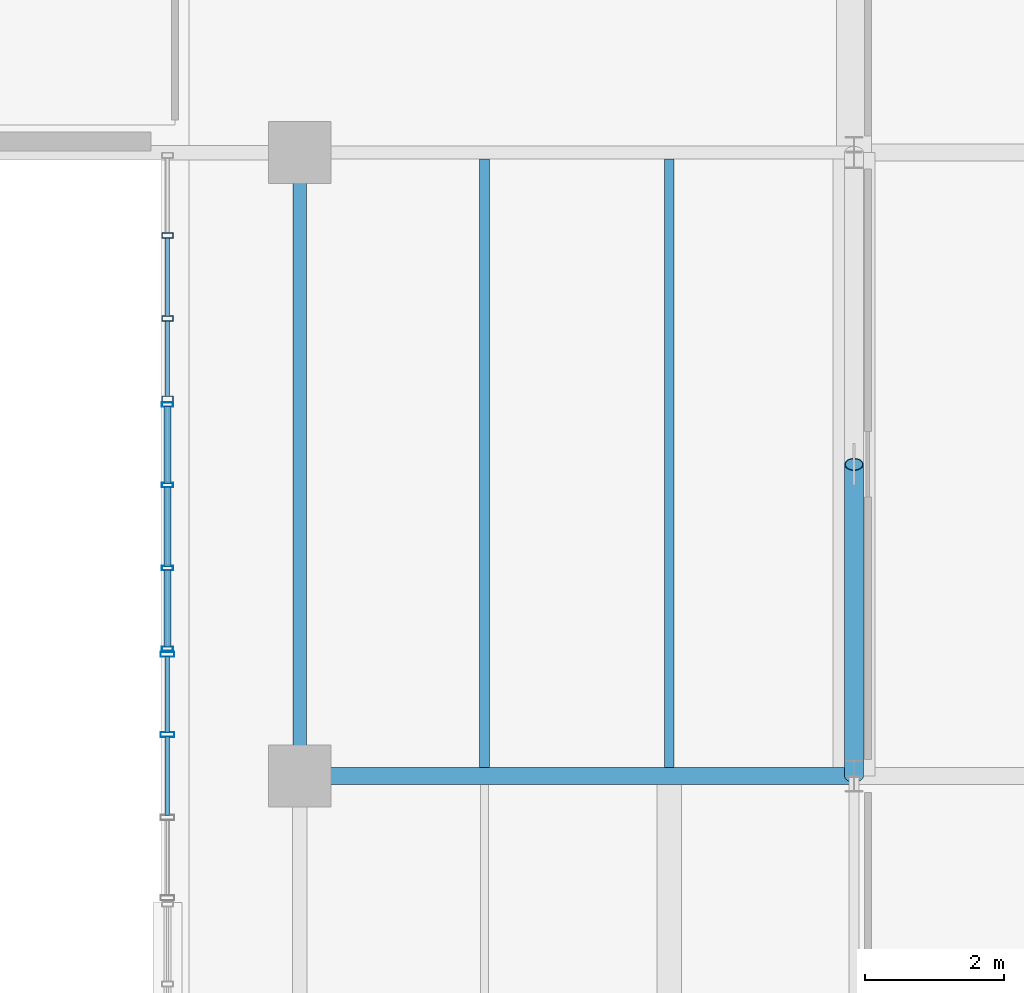
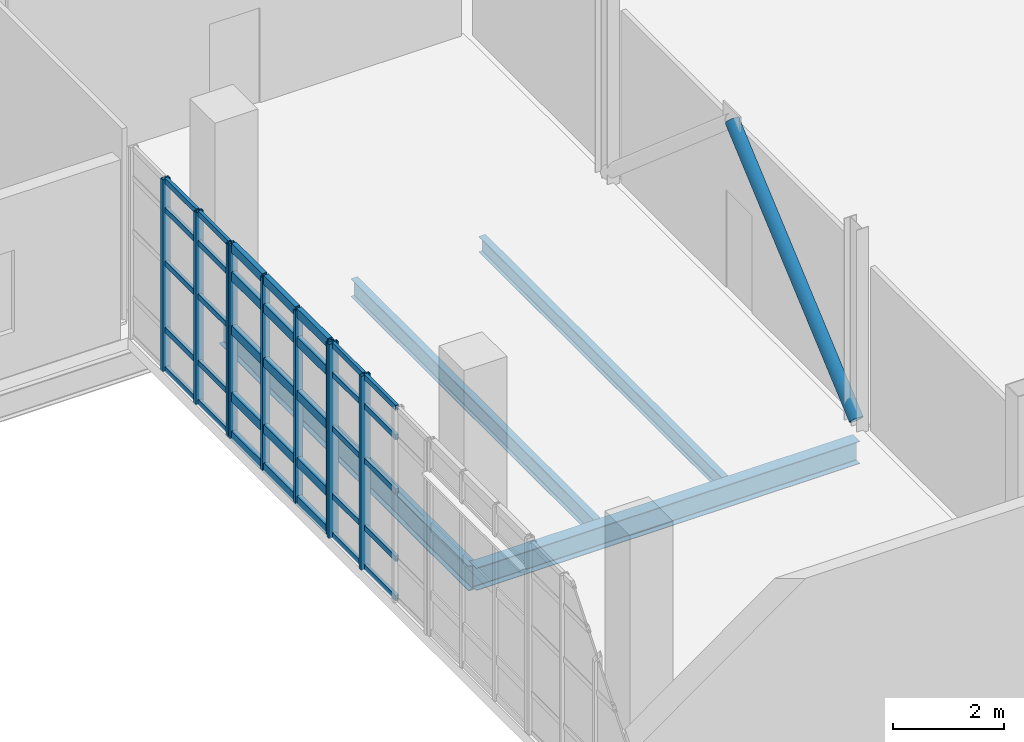
# One storey, part 11 of 38: 45 members, 4 beams, 3 elements without a shape of their own.
"""IFC4 building model written with IfcOpenShell, lengths in metres."""

from ifc_helpers import new_model, si_unit, derived_unit, direction, frame, origin, origin_2d, place, context, subcontext, project, spatial, hollow_rectangle, hollow_circle, i_section, extrude, material, layer, layer_set, material_profile, profile_set, type_object, element, aggregate, save


model = new_model("IFC4")

# Units and contexts
model_context = context("Model", 3, precision=1e-05, world=origin(), true_north=direction((0.0, 1.0)))
body_context = subcontext(model_context, "Body", "Model", "MODEL_VIEW")
ifc_project = project(units=[si_unit("LENGTHUNIT", "METRE"), si_unit("AREAUNIT", "SQUARE_METRE"), si_unit("VOLUMEUNIT", "CUBIC_METRE"), si_unit("PLANEANGLEUNIT", "RADIAN"), si_unit("MASSUNIT", "GRAM", prefix="KILO"), derived_unit("THERMALTRANSMITTANCEUNIT", [(si_unit("POWERUNIT", "WATT"), 1), (si_unit("LENGTHUNIT", "METRE"), -2), (si_unit("THERMODYNAMICTEMPERATUREUNIT", "KELVIN"), -1)])], contexts=[model_context])

# Site, building, storey
site_placement = place(None, origin())
site = spatial("IfcSite", under=ifc_project, at=site_placement, CompositionType="ELEMENT")
building_placement = place(site_placement, origin())
building = spatial("IfcBuilding", under=site, at=building_placement, Name="Nallur Shell Playhouse", CompositionType="ELEMENT")
storey_placement = place(building_placement, frame((0.0, 0.0, 24.300048828125)))
storey = spatial("IfcBuildingStorey", under=building, at=storey_placement, Name="L06", CompositionType="ELEMENT", Elevation=24.300048828125)

# Beams
ifc_material_1 = material(Name="Steel E250", Category="steel")
ifc_material_profile_1 = material_profile(ifc_material_1, i_section(OverallWidth=0.139892578125, OverallDepth=0.35009765625, WebThickness=0.008056640625, FlangeThickness=0.01416015625, FilletRadius=0.013916015625, at=origin_2d()), Name="ISMB 350")
ifc_profile_set_1 = profile_set([ifc_material_profile_1], Name="Steel E250")
beam_type_1 = type_object("IfcBeamType", Name="BM-JST-ISMB350", PredefinedType="JOIST", material=ifc_profile_set_1)
beam_1_placement = place(storey_placement, frame((61.333251953125, 56.123046875, -0.425048828125), z_axis=(0.0, 1.0, 0.0), x_axis=(-1.0, 0.0, 0.0)))
element("IfcBeam", 1, at=beam_1_placement, inside=storey, type_object=beam_type_1, Name="L06 secondary joist 7-G-1208", PredefinedType="JOIST", context=body_context, shape_type="SweptSolid", body=[
    extrude(i_section(OverallWidth=0.139892578125, OverallDepth=0.35009765625, WebThickness=0.008056640625, FlangeThickness=0.01416015625, FilletRadius=0.013916015625, at=origin_2d()), origin(), (0.0, 0.0, 1.0), 8.783935546875),
])
ifc_material_profile_2 = material_profile(ifc_material_1, i_section(OverallWidth=0.139892578125, OverallDepth=0.39990234375, WebThickness=0.0087890625, FlangeThickness=0.01611328125, FilletRadius=0.013916015625, at=origin_2d()), Name="ISMB 400")
ifc_profile_set_2 = profile_set([ifc_material_profile_2], Name="Steel E250")
beam_type_2 = type_object("IfcBeamType", Name="BM-JST-ISMB400", PredefinedType="JOIST", material=ifc_profile_set_2)
beam_2_placement = place(storey_placement, frame((58.666748046875, 56.123046875, -0.449951171875), z_axis=(0.0, 1.0, 0.0), x_axis=(-1.0, 0.0, 0.0)))
element("IfcBeam", 2, at=beam_2_placement, inside=storey, type_object=beam_type_2, Name="L06 secondary joist 7-G-1207", PredefinedType="JOIST", context=body_context, shape_type="SweptSolid", body=[
    extrude(i_section(OverallWidth=0.139892578125, OverallDepth=0.39990234375, WebThickness=0.0087890625, FlangeThickness=0.01611328125, FilletRadius=0.013916015625, at=origin_2d()), origin(), (0.0, 0.0, 1.0), 8.783935546875),
])
ifc_material_2 = material(Name="Steel E350", Category="steel")
ifc_material_profile_3 = material_profile(ifc_material_2, i_section(OverallWidth=0.18994140625, OverallDepth=0.550048828125, WebThickness=0.01123046875, FlangeThickness=0.019287109375, FilletRadius=0.01806640625, at=origin_2d()), Name="ISMB 550")
ifc_profile_set_3 = profile_set([ifc_material_profile_3], Name="Steel E350")
beam_type_3 = type_object("IfcBeamType", Name="BM-ST-ISMB550", PredefinedType="BEAM", material=ifc_profile_set_3)
beam_3_placement = place(storey_placement, frame((56.0, 56.0, -0.525146484375), z_axis=(0.0, 1.0, 0.0), x_axis=(-1.0, 0.0, 0.0)))
element("IfcBeam", 3, at=beam_3_placement, inside=storey, type_object=beam_type_3, Name="L06 girder Y-7-1177", PredefinedType="BEAM", context=body_context, shape_type="SweptSolid", body=[
    extrude(i_section(OverallWidth=0.18994140625, OverallDepth=0.550048828125, WebThickness=0.01123046875, FlangeThickness=0.019287109375, FilletRadius=0.01806640625, at=origin_2d()), origin(), (0.0, 0.0, 1.0), 9.0),
])
ifc_material_profile_4 = material_profile(ifc_material_2, i_section(OverallWidth=0.25, OverallDepth=0.5, WebThickness=0.010009765625, FlangeThickness=0.0146484375, FilletRadius=0.014892578125, at=origin_2d()), Name="ISWB 500")
ifc_profile_set_4 = profile_set([ifc_material_profile_4], Name="Steel E350")
beam_type_4 = type_object("IfcBeamType", Name="BM-ST-ISWB500", PredefinedType="BEAM", material=ifc_profile_set_4)
beam_4_placement = place(storey_placement, frame((56.0, 56.0, -0.5), z_axis=(1.0, 0.0, 0.0), x_axis=(0.0, 1.0, 0.0)))
element("IfcBeam", 4, at=beam_4_placement, inside=storey, type_object=beam_type_4, Name="L06 girder X-G-1139", PredefinedType="BEAM", context=body_context, shape_type="SweptSolid", body=[
    extrude(i_section(OverallWidth=0.25, OverallDepth=0.5, WebThickness=0.010009765625, FlangeThickness=0.0146484375, FilletRadius=0.014892578125, at=origin_2d()), origin(), (0.0, 0.0, 1.0), 8.0),
])

# Curtain wall, members
ifc_material_3 = material(Name="Anodised Aluminium Double-Glazed Facade System", Category="aluminium")
ifc_layer_1 = layer(ifc_material_3, 0.1640625)
ifc_layer_set_1 = layer_set([ifc_layer_1], Name="Anodised Aluminium Double-Glazed Facade System")
curtain_wall_type_1 = type_object("IfcCurtainWallType", Name="CW-UNIT-31", PredefinedType="NOTDEFINED", material=ifc_layer_set_1)
curtain_wall_1_placement = place(storey_placement, origin())
curtain_wall_1 = element("IfcCurtainWall", 5, at=curtain_wall_1_placement, inside=storey, type_object=curtain_wall_type_1, Name="Unitised curtain wall CW-191 (L06)", PredefinedType="NOTDEFINED")
ifc_material_4 = material(Name="Aluminium Alloy 6063-T6 Mullion", Category="aluminium")
ifc_material_profile_5 = material_profile(ifc_material_4, hollow_rectangle(XDim=0.080078125, YDim=0.159912109375, WallThickness=0.006103515625, at=origin_2d()), Name="RHS 160x80x6")
ifc_profile_set_5 = profile_set([ifc_material_profile_5], Name="Aluminium Alloy 6063-T6 Mullion")
member_type_1 = type_object("IfcMemberType", Name="MB-CW-MUL150", PredefinedType="MULLION", material=ifc_profile_set_5)
member_1_placement = place(storey_placement, frame((54.090087890625, 61.445068359375, -0.01513671875), z_axis=(0.0, 0.0, 1.0), x_axis=(0.0, 1.0, 0.0)))
member_1 = element("IfcMember", 6, at=member_1_placement, type_object=member_type_1, Name="CW-31 mullion 1", PredefinedType="MULLION", context=body_context, shape_type="SweptSolid", body=[
    extrude(hollow_rectangle(XDim=0.080078125, YDim=0.159912109375, WallThickness=0.006103515625, at=origin_2d()), origin(), (0.0, 0.0, 1.0), 4.239013671875),
])
member_2_placement = place(storey_placement, frame((54.090087890625, 62.603271484375, -0.01513671875), z_axis=(0.0, 0.0, 1.0), x_axis=(0.0, 1.0, 0.0)))
member_2 = element("IfcMember", 7, at=member_2_placement, type_object=member_type_1, Name="CW-31 mullion 2", PredefinedType="MULLION", context=body_context, shape_type="SweptSolid", body=[
    extrude(hollow_rectangle(XDim=0.080078125, YDim=0.159912109375, WallThickness=0.006103515625, at=origin_2d()), origin(), (0.0, 0.0, 1.0), 4.239013671875),
])
member_3_placement = place(storey_placement, frame((54.090087890625, 63.8017578125, -0.01513671875), z_axis=(0.0, 0.0, 1.0), x_axis=(0.0, 1.0, 0.0)))
member_3 = element("IfcMember", 8, at=member_3_placement, type_object=member_type_1, Name="CW-31 mullion 3", PredefinedType="MULLION", context=body_context, shape_type="SweptSolid", body=[
    extrude(hollow_rectangle(XDim=0.080078125, YDim=0.159912109375, WallThickness=0.006103515625, at=origin_2d()), origin(), (0.0, 0.0, 1.0), 4.239013671875),
])

ifc_layer_2 = layer(ifc_material_3, 0.159912109375)
ifc_layer_set_2 = layer_set([ifc_layer_2], Name="Anodised Aluminium Double-Glazed Facade System")
curtain_wall_type_2 = type_object("IfcCurtainWallType", Name="CW-UNIT-30", PredefinedType="NOTDEFINED", material=ifc_layer_set_2)
curtain_wall_2_placement = place(storey_placement, origin())
curtain_wall_2 = element("IfcCurtainWall", 9, at=curtain_wall_2_placement, inside=storey, type_object=curtain_wall_type_2, Name="Unitised curtain wall CW-190 (L06)", PredefinedType="NOTDEFINED")
ifc_material_profile_6 = material_profile(ifc_material_4, hollow_rectangle(XDim=0.06494140625, YDim=0.159912109375, WallThickness=0.00390625, at=origin_2d()), Name="ALU 65x160x4")
ifc_profile_set_6 = profile_set([ifc_material_profile_6], Name="Aluminium Alloy 6063-T6 Mullion")
member_type_2 = type_object("IfcMemberType", Name="MB-CW-MUL160", PredefinedType="MULLION", material=ifc_profile_set_6)
member_4_placement = place(storey_placement, frame((54.090087890625, 57.83740234375, -0.01513671875), z_axis=(0.0, 0.0, 1.0), x_axis=(0.0, 1.0, 0.0)))
member_4 = element("IfcMember", 10, at=member_4_placement, type_object=member_type_2, Name="CW-30 mullion 1", PredefinedType="MULLION", context=body_context, shape_type="SweptSolid", body=[
    extrude(hollow_rectangle(XDim=0.06494140625, YDim=0.159912109375, WallThickness=0.00390625, at=origin_2d()), origin(), (0.0, 0.0, 1.0), 4.259033203125),
])
member_5_placement = place(storey_placement, frame((54.090087890625, 59.001708984375, -0.01513671875), z_axis=(0.0, 0.0, 1.0), x_axis=(0.0, 1.0, 0.0)))
member_5 = element("IfcMember", 11, at=member_5_placement, type_object=member_type_2, Name="CW-30 mullion 2", PredefinedType="MULLION", context=body_context, shape_type="SweptSolid", body=[
    extrude(hollow_rectangle(XDim=0.06494140625, YDim=0.159912109375, WallThickness=0.00390625, at=origin_2d()), origin(), (0.0, 0.0, 1.0), 4.259033203125),
])
member_6_placement = place(storey_placement, frame((54.090087890625, 60.1982421875, -0.01513671875), z_axis=(0.0, 0.0, 1.0), x_axis=(0.0, 1.0, 0.0)))
member_6 = element("IfcMember", 12, at=member_6_placement, type_object=member_type_2, Name="CW-30 mullion 3", PredefinedType="MULLION", context=body_context, shape_type="SweptSolid", body=[
    extrude(hollow_rectangle(XDim=0.06494140625, YDim=0.159912109375, WallThickness=0.00390625, at=origin_2d()), origin(), (0.0, 0.0, 1.0), 4.259033203125),
])
member_7_placement = place(storey_placement, frame((54.090087890625, 61.362548828125, -0.01513671875), z_axis=(0.0, 0.0, 1.0), x_axis=(0.0, 1.0, 0.0)))
member_7 = element("IfcMember", 13, at=member_7_placement, type_object=member_type_2, Name="CW-30 mullion 4", PredefinedType="MULLION", context=body_context, shape_type="SweptSolid", body=[
    extrude(hollow_rectangle(XDim=0.06494140625, YDim=0.159912109375, WallThickness=0.00390625, at=origin_2d()), origin(), (0.0, 0.0, 1.0), 4.259033203125),
])

ifc_layer_3 = layer(ifc_material_3, 0.179931640625)
ifc_layer_set_3 = layer_set([ifc_layer_3], Name="Anodised Aluminium Double-Glazed Facade System")
curtain_wall_type_3 = type_object("IfcCurtainWallType", Name="CW-UNIT-29", PredefinedType="NOTDEFINED", material=ifc_layer_set_3)
curtain_wall_3_placement = place(storey_placement, origin())
curtain_wall_3 = element("IfcCurtainWall", 14, at=curtain_wall_3_placement, inside=storey, type_object=curtain_wall_type_3, Name="Unitised curtain wall CW-189 (L06)", PredefinedType="NOTDEFINED")
ifc_material_profile_7 = material_profile(ifc_material_4, hollow_rectangle(XDim=0.074951171875, YDim=0.199951171875, WallThickness=0.0048828125, at=origin_2d()), Name="ALU 75x200x5")
ifc_profile_set_7 = profile_set([ifc_material_profile_7], Name="Aluminium Alloy 6063-T6 Mullion")
member_type_3 = type_object("IfcMemberType", Name="MB-CW-MUL180", PredefinedType="MULLION", material=ifc_profile_set_7)
member_8_placement = place(storey_placement, frame((54.090087890625, 56.598388671875, -0.01513671875), z_axis=(0.0, 0.0, 1.0), x_axis=(0.0, 1.0, 0.0)))
member_8 = element("IfcMember", 15, at=member_8_placement, type_object=member_type_3, Name="CW-29 mullion 3", PredefinedType="MULLION", context=body_context, shape_type="SweptSolid", body=[
    extrude(hollow_rectangle(XDim=0.074951171875, YDim=0.199951171875, WallThickness=0.0048828125, at=origin_2d()), origin(), (0.0, 0.0, 1.0), 4.279052734375),
])
member_9_placement = place(storey_placement, frame((54.090087890625, 57.757568359375, -0.01513671875), z_axis=(0.0, 0.0, 1.0), x_axis=(0.0, 1.0, 0.0)))
member_9 = element("IfcMember", 16, at=member_9_placement, type_object=member_type_3, Name="CW-29 mullion 4", PredefinedType="MULLION", context=body_context, shape_type="SweptSolid", body=[
    extrude(hollow_rectangle(XDim=0.074951171875, YDim=0.199951171875, WallThickness=0.0048828125, at=origin_2d()), origin(), (0.0, 0.0, 1.0), 4.279052734375),
])
ifc_material_5 = material(Name="Aluminium Alloy 6063-T6 Transom", Category="aluminium")
ifc_material_profile_8 = material_profile(ifc_material_5, hollow_rectangle(XDim=0.06494140625, YDim=0.1201171875, WallThickness=0.00390625, at=origin_2d()), Name="ALU 65x120x4")
ifc_profile_set_8 = profile_set([ifc_material_profile_8], Name="Aluminium Alloy 6063-T6 Transom")
member_type_4 = type_object("IfcMemberType", Name="MB-CW-TRN120", PredefinedType="USERDEFINED", material=ifc_profile_set_8)
member_10_placement = place(storey_placement, frame((54.090087890625, 55.43115234375, 0.032470703125), z_axis=(0.0, 1.0, 0.0), x_axis=(-1.0, 0.0, 0.0)))
member_10 = element("IfcMember", 17, at=member_10_placement, type_object=member_type_4, Name="CW-29 transom 2.1", ObjectType="TRANSOM", PredefinedType="USERDEFINED", context=body_context, shape_type="SweptSolid", body=[
    extrude(hollow_rectangle(XDim=0.06494140625, YDim=0.1201171875, WallThickness=0.00390625, at=origin_2d()), origin(), (0.0, 0.0, 1.0), 1.1376953125),
])
member_11_placement = place(storey_placement, frame((54.090087890625, 55.43115234375, 0.89990234375), z_axis=(0.0, 1.0, 0.0), x_axis=(-1.0, 0.0, 0.0)))
member_11 = element("IfcMember", 18, at=member_11_placement, type_object=member_type_4, Name="CW-29 transom 2.2", ObjectType="TRANSOM", PredefinedType="USERDEFINED", context=body_context, shape_type="SweptSolid", body=[
    extrude(hollow_rectangle(XDim=0.06494140625, YDim=0.1201171875, WallThickness=0.00390625, at=origin_2d()), origin(), (0.0, 0.0, 1.0), 1.1376953125),
])
member_12_placement = place(storey_placement, frame((54.090087890625, 55.43115234375, 2.385986328125), z_axis=(0.0, 1.0, 0.0), x_axis=(-1.0, 0.0, 0.0)))
member_12 = element("IfcMember", 19, at=member_12_placement, type_object=member_type_4, Name="CW-29 transom 2.3", ObjectType="TRANSOM", PredefinedType="USERDEFINED", context=body_context, shape_type="SweptSolid", body=[
    extrude(hollow_rectangle(XDim=0.06494140625, YDim=0.1201171875, WallThickness=0.00390625, at=origin_2d()), origin(), (0.0, 0.0, 1.0), 1.1376953125),
])
member_13_placement = place(storey_placement, frame((54.090087890625, 55.43115234375, 3.579833984375), z_axis=(0.0, 1.0, 0.0), x_axis=(-1.0, 0.0, 0.0)))
member_13 = element("IfcMember", 20, at=member_13_placement, type_object=member_type_4, Name="CW-29 transom 2.4", ObjectType="TRANSOM", PredefinedType="USERDEFINED", context=body_context, shape_type="SweptSolid", body=[
    extrude(hollow_rectangle(XDim=0.06494140625, YDim=0.1201171875, WallThickness=0.00390625, at=origin_2d()), origin(), (0.0, 0.0, 1.0), 1.1376953125),
])
member_14_placement = place(storey_placement, frame((54.090087890625, 55.43115234375, 4.2275390625), z_axis=(0.0, 1.0, 0.0), x_axis=(-1.0, 0.0, 0.0)))
member_14 = element("IfcMember", 21, at=member_14_placement, type_object=member_type_4, Name="CW-29 transom 2.5", ObjectType="TRANSOM", PredefinedType="USERDEFINED", context=body_context, shape_type="SweptSolid", body=[
    extrude(hollow_rectangle(XDim=0.06494140625, YDim=0.1201171875, WallThickness=0.00390625, at=origin_2d()), origin(), (0.0, 0.0, 1.0), 1.1376953125),
])
member_15_placement = place(storey_placement, frame((54.090087890625, 56.6279296875, 0.032470703125), z_axis=(0.0, 1.0, 0.0), x_axis=(-1.0, 0.0, 0.0)))
member_15 = element("IfcMember", 22, at=member_15_placement, type_object=member_type_4, Name="CW-29 transom 3.1", ObjectType="TRANSOM", PredefinedType="USERDEFINED", context=body_context, shape_type="SweptSolid", body=[
    extrude(hollow_rectangle(XDim=0.06494140625, YDim=0.1201171875, WallThickness=0.00390625, at=origin_2d()), origin(), (0.0, 0.0, 1.0), 1.10009765625),
])
member_16_placement = place(storey_placement, frame((54.090087890625, 56.6279296875, 0.89990234375), z_axis=(0.0, 1.0, 0.0), x_axis=(-1.0, 0.0, 0.0)))
member_16 = element("IfcMember", 23, at=member_16_placement, type_object=member_type_4, Name="CW-29 transom 3.2", ObjectType="TRANSOM", PredefinedType="USERDEFINED", context=body_context, shape_type="SweptSolid", body=[
    extrude(hollow_rectangle(XDim=0.06494140625, YDim=0.1201171875, WallThickness=0.00390625, at=origin_2d()), origin(), (0.0, 0.0, 1.0), 1.10009765625),
])
member_17_placement = place(storey_placement, frame((54.090087890625, 56.6279296875, 2.385986328125), z_axis=(0.0, 1.0, 0.0), x_axis=(-1.0, 0.0, 0.0)))
member_17 = element("IfcMember", 24, at=member_17_placement, type_object=member_type_4, Name="CW-29 transom 3.3", ObjectType="TRANSOM", PredefinedType="USERDEFINED", context=body_context, shape_type="SweptSolid", body=[
    extrude(hollow_rectangle(XDim=0.06494140625, YDim=0.1201171875, WallThickness=0.00390625, at=origin_2d()), origin(), (0.0, 0.0, 1.0), 1.10009765625),
])
member_18_placement = place(storey_placement, frame((54.090087890625, 56.6279296875, 3.579833984375), z_axis=(0.0, 1.0, 0.0), x_axis=(-1.0, 0.0, 0.0)))
member_18 = element("IfcMember", 25, at=member_18_placement, type_object=member_type_4, Name="CW-29 transom 3.4", ObjectType="TRANSOM", PredefinedType="USERDEFINED", context=body_context, shape_type="SweptSolid", body=[
    extrude(hollow_rectangle(XDim=0.06494140625, YDim=0.1201171875, WallThickness=0.00390625, at=origin_2d()), origin(), (0.0, 0.0, 1.0), 1.10009765625),
])
member_19_placement = place(storey_placement, frame((54.090087890625, 56.6279296875, 4.2275390625), z_axis=(0.0, 1.0, 0.0), x_axis=(-1.0, 0.0, 0.0)))
member_19 = element("IfcMember", 26, at=member_19_placement, type_object=member_type_4, Name="CW-29 transom 3.5", ObjectType="TRANSOM", PredefinedType="USERDEFINED", context=body_context, shape_type="SweptSolid", body=[
    extrude(hollow_rectangle(XDim=0.06494140625, YDim=0.1201171875, WallThickness=0.00390625, at=origin_2d()), origin(), (0.0, 0.0, 1.0), 1.10009765625),
])
aggregate(curtain_wall_3, [member_8, member_9, member_10, member_11, member_12, member_13, member_14, member_15, member_16, member_17, member_18, member_19])

# Member
member_20_placement = place(storey_placement, frame((54.090087890625, 61.47705078125, 0.032470703125), z_axis=(0.0, 1.0, 0.0), x_axis=(-1.0, 0.0, 0.0)))
member_20 = element("IfcMember", 27, at=member_20_placement, type_object=member_type_4, Name="CW-31 transom 1.1", ObjectType="TRANSOM", PredefinedType="USERDEFINED", context=body_context, shape_type="SweptSolid", body=[
    extrude(hollow_rectangle(XDim=0.06494140625, YDim=0.1201171875, WallThickness=0.00390625, at=origin_2d()), origin(), (0.0, 0.0, 1.0), 1.09423828125),
])

member_21_placement = place(storey_placement, frame((54.090087890625, 61.47705078125, 0.89990234375), z_axis=(0.0, 1.0, 0.0), x_axis=(-1.0, 0.0, 0.0)))
member_21 = element("IfcMember", 28, at=member_21_placement, type_object=member_type_4, Name="CW-31 transom 1.2", ObjectType="TRANSOM", PredefinedType="USERDEFINED", context=body_context, shape_type="SweptSolid", body=[
    extrude(hollow_rectangle(XDim=0.06494140625, YDim=0.1201171875, WallThickness=0.00390625, at=origin_2d()), origin(), (0.0, 0.0, 1.0), 1.09423828125),
])

member_22_placement = place(storey_placement, frame((54.090087890625, 61.47705078125, 2.363037109375), z_axis=(0.0, 1.0, 0.0), x_axis=(-1.0, 0.0, 0.0)))
member_22 = element("IfcMember", 29, at=member_22_placement, type_object=member_type_4, Name="CW-31 transom 1.3", ObjectType="TRANSOM", PredefinedType="USERDEFINED", context=body_context, shape_type="SweptSolid", body=[
    extrude(hollow_rectangle(XDim=0.06494140625, YDim=0.1201171875, WallThickness=0.00390625, at=origin_2d()), origin(), (0.0, 0.0, 1.0), 1.09423828125),
])

member_23_placement = place(storey_placement, frame((54.090087890625, 61.47705078125, 3.5400390625), z_axis=(0.0, 1.0, 0.0), x_axis=(-1.0, 0.0, 0.0)))
member_23 = element("IfcMember", 30, at=member_23_placement, type_object=member_type_4, Name="CW-31 transom 1.4", ObjectType="TRANSOM", PredefinedType="USERDEFINED", context=body_context, shape_type="SweptSolid", body=[
    extrude(hollow_rectangle(XDim=0.06494140625, YDim=0.1201171875, WallThickness=0.00390625, at=origin_2d()), origin(), (0.0, 0.0, 1.0), 1.09423828125),
])

member_24_placement = place(storey_placement, frame((54.090087890625, 61.47705078125, 4.1875), z_axis=(0.0, 1.0, 0.0), x_axis=(-1.0, 0.0, 0.0)))
member_24 = element("IfcMember", 31, at=member_24_placement, type_object=member_type_4, Name="CW-31 transom 1.5", ObjectType="TRANSOM", PredefinedType="USERDEFINED", context=body_context, shape_type="SweptSolid", body=[
    extrude(hollow_rectangle(XDim=0.06494140625, YDim=0.1201171875, WallThickness=0.00390625, at=origin_2d()), origin(), (0.0, 0.0, 1.0), 1.09423828125),
])

member_25_placement = place(storey_placement, frame((54.090087890625, 62.63525390625, 0.032470703125), z_axis=(0.0, 1.0, 0.0), x_axis=(-1.0, 0.0, 0.0)))
member_25 = element("IfcMember", 32, at=member_25_placement, type_object=member_type_4, Name="CW-31 transom 2.1", ObjectType="TRANSOM", PredefinedType="USERDEFINED", context=body_context, shape_type="SweptSolid", body=[
    extrude(hollow_rectangle(XDim=0.06494140625, YDim=0.1201171875, WallThickness=0.00390625, at=origin_2d()), origin(), (0.0, 0.0, 1.0), 1.134521484375),
])

member_26_placement = place(storey_placement, frame((54.090087890625, 62.63525390625, 0.89990234375), z_axis=(0.0, 1.0, 0.0), x_axis=(-1.0, 0.0, 0.0)))
member_26 = element("IfcMember", 33, at=member_26_placement, type_object=member_type_4, Name="CW-31 transom 2.2", ObjectType="TRANSOM", PredefinedType="USERDEFINED", context=body_context, shape_type="SweptSolid", body=[
    extrude(hollow_rectangle(XDim=0.06494140625, YDim=0.1201171875, WallThickness=0.00390625, at=origin_2d()), origin(), (0.0, 0.0, 1.0), 1.134521484375),
])

member_27_placement = place(storey_placement, frame((54.090087890625, 62.63525390625, 2.363037109375), z_axis=(0.0, 1.0, 0.0), x_axis=(-1.0, 0.0, 0.0)))
member_27 = element("IfcMember", 34, at=member_27_placement, type_object=member_type_4, Name="CW-31 transom 2.3", ObjectType="TRANSOM", PredefinedType="USERDEFINED", context=body_context, shape_type="SweptSolid", body=[
    extrude(hollow_rectangle(XDim=0.06494140625, YDim=0.1201171875, WallThickness=0.00390625, at=origin_2d()), origin(), (0.0, 0.0, 1.0), 1.134521484375),
])

member_28_placement = place(storey_placement, frame((54.090087890625, 62.63525390625, 3.5400390625), z_axis=(0.0, 1.0, 0.0), x_axis=(-1.0, 0.0, 0.0)))
member_28 = element("IfcMember", 35, at=member_28_placement, type_object=member_type_4, Name="CW-31 transom 2.4", ObjectType="TRANSOM", PredefinedType="USERDEFINED", context=body_context, shape_type="SweptSolid", body=[
    extrude(hollow_rectangle(XDim=0.06494140625, YDim=0.1201171875, WallThickness=0.00390625, at=origin_2d()), origin(), (0.0, 0.0, 1.0), 1.134521484375),
])

member_29_placement = place(storey_placement, frame((54.090087890625, 62.63525390625, 4.1875), z_axis=(0.0, 1.0, 0.0), x_axis=(-1.0, 0.0, 0.0)))
member_29 = element("IfcMember", 36, at=member_29_placement, type_object=member_type_4, Name="CW-31 transom 2.5", ObjectType="TRANSOM", PredefinedType="USERDEFINED", context=body_context, shape_type="SweptSolid", body=[
    extrude(hollow_rectangle(XDim=0.06494140625, YDim=0.1201171875, WallThickness=0.00390625, at=origin_2d()), origin(), (0.0, 0.0, 1.0), 1.134521484375),
])

aggregate(curtain_wall_1, [member_1, member_2, member_3, member_20, member_21, member_22, member_23, member_24, member_25, member_26, member_27, member_28, member_29])

ifc_material_profile_9 = material_profile(ifc_material_5, hollow_rectangle(XDim=0.10009765625, YDim=0.199951171875, WallThickness=0.008056640625, at=origin_2d()), Name="RHS 200x100x8")
ifc_profile_set_9 = profile_set([ifc_material_profile_9], Name="Aluminium Alloy 6063-T6 Transom")
member_type_5 = type_object("IfcMemberType", Name="MB-CW-TRN140", PredefinedType="USERDEFINED", material=ifc_profile_set_9)
member_30_placement = place(storey_placement, frame((54.090087890625, 57.862060546875, 0.050048828125), z_axis=(0.0, 1.0, 0.0), x_axis=(-1.0, 0.0, 0.0)))
member_30 = element("IfcMember", 37, at=member_30_placement, type_object=member_type_5, Name="CW-30 transom 1.1", ObjectType="TRANSOM", PredefinedType="USERDEFINED", context=body_context, shape_type="SweptSolid", body=[
    extrude(hollow_rectangle(XDim=0.10009765625, YDim=0.199951171875, WallThickness=0.008056640625, at=origin_2d()), origin(), (0.0, 0.0, 1.0), 1.114990234375),
])

member_31_placement = place(storey_placement, frame((54.090087890625, 57.862060546875, 0.89990234375), z_axis=(0.0, 1.0, 0.0), x_axis=(-1.0, 0.0, 0.0)))
member_31 = element("IfcMember", 38, at=member_31_placement, type_object=member_type_5, Name="CW-30 transom 1.2", ObjectType="TRANSOM", PredefinedType="USERDEFINED", context=body_context, shape_type="SweptSolid", body=[
    extrude(hollow_rectangle(XDim=0.10009765625, YDim=0.199951171875, WallThickness=0.008056640625, at=origin_2d()), origin(), (0.0, 0.0, 1.0), 1.114990234375),
])

member_32_placement = place(storey_placement, frame((54.090087890625, 57.862060546875, 2.3740234375), z_axis=(0.0, 1.0, 0.0), x_axis=(-1.0, 0.0, 0.0)))
member_32 = element("IfcMember", 39, at=member_32_placement, type_object=member_type_5, Name="CW-30 transom 1.3", ObjectType="TRANSOM", PredefinedType="USERDEFINED", context=body_context, shape_type="SweptSolid", body=[
    extrude(hollow_rectangle(XDim=0.10009765625, YDim=0.199951171875, WallThickness=0.008056640625, at=origin_2d()), origin(), (0.0, 0.0, 1.0), 1.114990234375),
])

member_33_placement = place(storey_placement, frame((54.090087890625, 57.862060546875, 3.56005859375), z_axis=(0.0, 1.0, 0.0), x_axis=(-1.0, 0.0, 0.0)))
member_33 = element("IfcMember", 40, at=member_33_placement, type_object=member_type_5, Name="CW-30 transom 1.4", ObjectType="TRANSOM", PredefinedType="USERDEFINED", context=body_context, shape_type="SweptSolid", body=[
    extrude(hollow_rectangle(XDim=0.10009765625, YDim=0.199951171875, WallThickness=0.008056640625, at=origin_2d()), origin(), (0.0, 0.0, 1.0), 1.114990234375),
])

member_34_placement = place(storey_placement, frame((54.090087890625, 57.862060546875, 4.18994140625), z_axis=(0.0, 1.0, 0.0), x_axis=(-1.0, 0.0, 0.0)))
member_34 = element("IfcMember", 41, at=member_34_placement, type_object=member_type_5, Name="CW-30 transom 1.5", ObjectType="TRANSOM", PredefinedType="USERDEFINED", context=body_context, shape_type="SweptSolid", body=[
    extrude(hollow_rectangle(XDim=0.10009765625, YDim=0.199951171875, WallThickness=0.008056640625, at=origin_2d()), origin(), (0.0, 0.0, 1.0), 1.114990234375),
])

member_35_placement = place(storey_placement, frame((54.090087890625, 59.026123046875, 0.050048828125), z_axis=(0.0, 1.0, 0.0), x_axis=(-1.0, 0.0, 0.0)))
member_35 = element("IfcMember", 42, at=member_35_placement, type_object=member_type_5, Name="CW-30 transom 2.1", ObjectType="TRANSOM", PredefinedType="USERDEFINED", context=body_context, shape_type="SweptSolid", body=[
    extrude(hollow_rectangle(XDim=0.10009765625, YDim=0.199951171875, WallThickness=0.008056640625, at=origin_2d()), origin(), (0.0, 0.0, 1.0), 1.147705078125),
])

member_36_placement = place(storey_placement, frame((54.090087890625, 59.026123046875, 0.89990234375), z_axis=(0.0, 1.0, 0.0), x_axis=(-1.0, 0.0, 0.0)))
member_36 = element("IfcMember", 43, at=member_36_placement, type_object=member_type_5, Name="CW-30 transom 2.2", ObjectType="TRANSOM", PredefinedType="USERDEFINED", context=body_context, shape_type="SweptSolid", body=[
    extrude(hollow_rectangle(XDim=0.10009765625, YDim=0.199951171875, WallThickness=0.008056640625, at=origin_2d()), origin(), (0.0, 0.0, 1.0), 1.147705078125),
])

member_37_placement = place(storey_placement, frame((54.090087890625, 59.026123046875, 2.3740234375), z_axis=(0.0, 1.0, 0.0), x_axis=(-1.0, 0.0, 0.0)))
member_37 = element("IfcMember", 44, at=member_37_placement, type_object=member_type_5, Name="CW-30 transom 2.3", ObjectType="TRANSOM", PredefinedType="USERDEFINED", context=body_context, shape_type="SweptSolid", body=[
    extrude(hollow_rectangle(XDim=0.10009765625, YDim=0.199951171875, WallThickness=0.008056640625, at=origin_2d()), origin(), (0.0, 0.0, 1.0), 1.147705078125),
])

member_38_placement = place(storey_placement, frame((54.090087890625, 59.026123046875, 3.56005859375), z_axis=(0.0, 1.0, 0.0), x_axis=(-1.0, 0.0, 0.0)))
member_38 = element("IfcMember", 45, at=member_38_placement, type_object=member_type_5, Name="CW-30 transom 2.4", ObjectType="TRANSOM", PredefinedType="USERDEFINED", context=body_context, shape_type="SweptSolid", body=[
    extrude(hollow_rectangle(XDim=0.10009765625, YDim=0.199951171875, WallThickness=0.008056640625, at=origin_2d()), origin(), (0.0, 0.0, 1.0), 1.147705078125),
])

member_39_placement = place(storey_placement, frame((54.090087890625, 59.026123046875, 4.18994140625), z_axis=(0.0, 1.0, 0.0), x_axis=(-1.0, 0.0, 0.0)))
member_39 = element("IfcMember", 46, at=member_39_placement, type_object=member_type_5, Name="CW-30 transom 2.5", ObjectType="TRANSOM", PredefinedType="USERDEFINED", context=body_context, shape_type="SweptSolid", body=[
    extrude(hollow_rectangle(XDim=0.10009765625, YDim=0.199951171875, WallThickness=0.008056640625, at=origin_2d()), origin(), (0.0, 0.0, 1.0), 1.147705078125),
])

member_40_placement = place(storey_placement, frame((54.090087890625, 60.222900390625, 0.050048828125), z_axis=(0.0, 1.0, 0.0), x_axis=(-1.0, 0.0, 0.0)))
member_40 = element("IfcMember", 47, at=member_40_placement, type_object=member_type_5, Name="CW-30 transom 3.1", ObjectType="TRANSOM", PredefinedType="USERDEFINED", context=body_context, shape_type="SweptSolid", body=[
    extrude(hollow_rectangle(XDim=0.10009765625, YDim=0.199951171875, WallThickness=0.008056640625, at=origin_2d()), origin(), (0.0, 0.0, 1.0), 1.114990234375),
])

member_41_placement = place(storey_placement, frame((54.090087890625, 60.222900390625, 0.89990234375), z_axis=(0.0, 1.0, 0.0), x_axis=(-1.0, 0.0, 0.0)))
member_41 = element("IfcMember", 48, at=member_41_placement, type_object=member_type_5, Name="CW-30 transom 3.2", ObjectType="TRANSOM", PredefinedType="USERDEFINED", context=body_context, shape_type="SweptSolid", body=[
    extrude(hollow_rectangle(XDim=0.10009765625, YDim=0.199951171875, WallThickness=0.008056640625, at=origin_2d()), origin(), (0.0, 0.0, 1.0), 1.114990234375),
])

member_42_placement = place(storey_placement, frame((54.090087890625, 60.222900390625, 2.3740234375), z_axis=(0.0, 1.0, 0.0), x_axis=(-1.0, 0.0, 0.0)))
member_42 = element("IfcMember", 49, at=member_42_placement, type_object=member_type_5, Name="CW-30 transom 3.3", ObjectType="TRANSOM", PredefinedType="USERDEFINED", context=body_context, shape_type="SweptSolid", body=[
    extrude(hollow_rectangle(XDim=0.10009765625, YDim=0.199951171875, WallThickness=0.008056640625, at=origin_2d()), origin(), (0.0, 0.0, 1.0), 1.114990234375),
])

member_43_placement = place(storey_placement, frame((54.090087890625, 60.222900390625, 3.56005859375), z_axis=(0.0, 1.0, 0.0), x_axis=(-1.0, 0.0, 0.0)))
member_43 = element("IfcMember", 50, at=member_43_placement, type_object=member_type_5, Name="CW-30 transom 3.4", ObjectType="TRANSOM", PredefinedType="USERDEFINED", context=body_context, shape_type="SweptSolid", body=[
    extrude(hollow_rectangle(XDim=0.10009765625, YDim=0.199951171875, WallThickness=0.008056640625, at=origin_2d()), origin(), (0.0, 0.0, 1.0), 1.114990234375),
])

member_44_placement = place(storey_placement, frame((54.090087890625, 60.222900390625, 4.18994140625), z_axis=(0.0, 1.0, 0.0), x_axis=(-1.0, 0.0, 0.0)))
member_44 = element("IfcMember", 51, at=member_44_placement, type_object=member_type_5, Name="CW-30 transom 3.5", ObjectType="TRANSOM", PredefinedType="USERDEFINED", context=body_context, shape_type="SweptSolid", body=[
    extrude(hollow_rectangle(XDim=0.10009765625, YDim=0.199951171875, WallThickness=0.008056640625, at=origin_2d()), origin(), (0.0, 0.0, 1.0), 1.114990234375),
])

aggregate(curtain_wall_2, [member_4, member_5, member_6, member_7, member_30, member_31, member_32, member_33, member_34, member_35, member_36, member_37, member_38, member_39, member_40, member_41, member_42, member_43, member_44])

ifc_material_profile_10 = material_profile(ifc_material_2, hollow_circle(Radius=0.136474609375, WallThickness=0.011962890625, at=origin_2d()), Name="CHS 273.0x12")
ifc_profile_set_10 = profile_set([ifc_material_profile_10], Name="Steel E350")
member_type_6 = type_object("IfcMemberType", Name="MB-FT-BRACE3", PredefinedType="BRACE", material=ifc_profile_set_10)
member_45_placement = place(storey_placement, frame((64.0, 56.0, 0.14990234375), z_axis=(0.0, 0.757341990615, 0.653018460115), x_axis=(-1.0, 0.0, 0.0)))
element("IfcMember", 52, at=member_45_placement, inside=storey, type_object=member_type_6, Name="Stage fly tower concentric brace BR-FT-L06-041", PredefinedType="BRACE", context=body_context, shape_type="SweptSolid", body=[
    extrude(hollow_circle(Radius=0.136474609375, WallThickness=0.011962890625, at=origin_2d()), origin(), (0.0, 0.0, 1.0), 5.94189453125),
])

save(model, "model.ifc")
